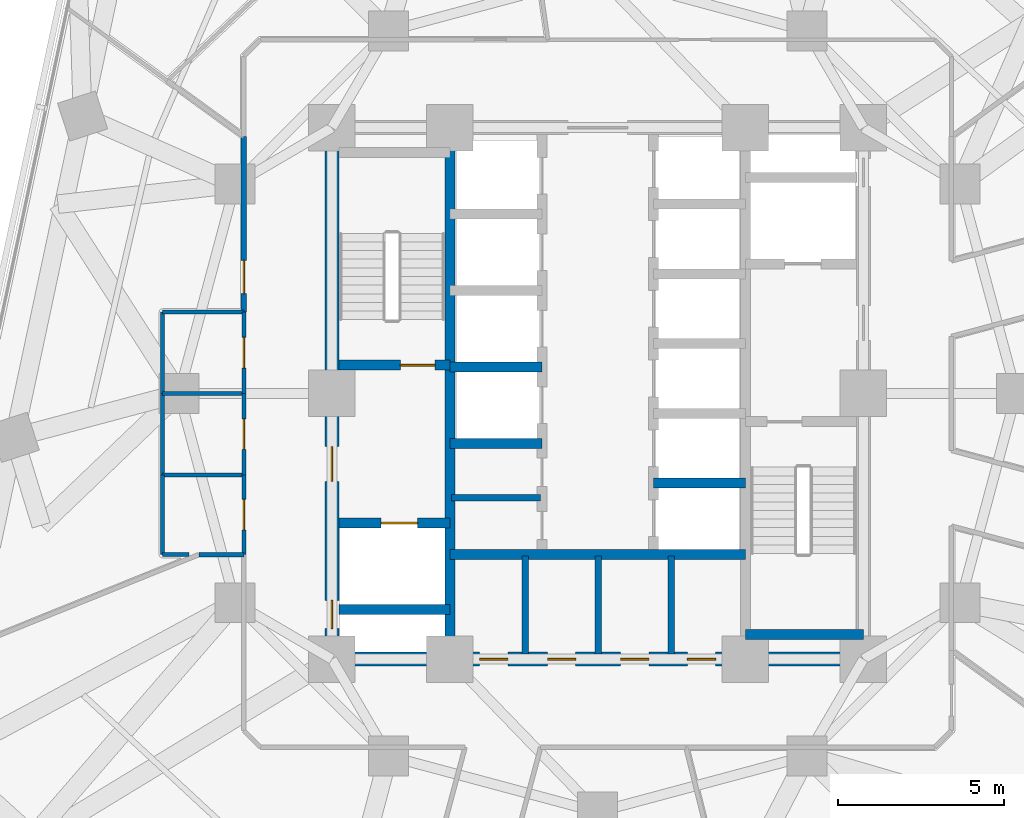
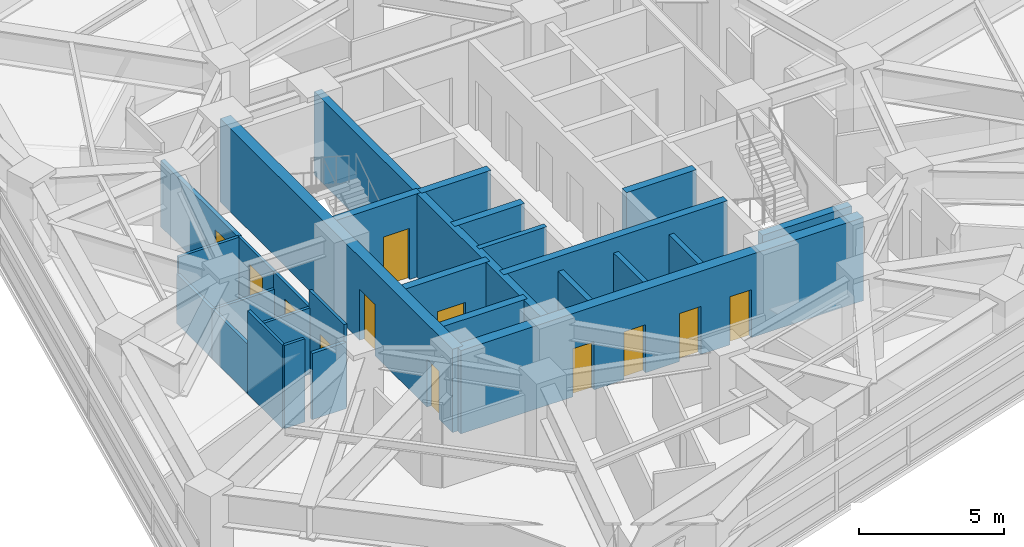
# One storey, part 8 of 14: 27 walls, 12 doors, 12 openings.
"""IFC4 building model written with IfcOpenShell, lengths in metres."""

from ifc_helpers import new_model, si_unit, direction, frame, frame_2d, origin, place, context, subcontext, project, spatial, rectangle, extrude, material, layer, layer_set, type_object, element, fill, save


model = new_model("IFC4")

# Units and contexts
model_context = context("Model", 3, precision=1e-05, world=origin(), true_north=direction((0.0, 1.0)))
body_context = subcontext(model_context, "Body", "Model", "MODEL_VIEW")
ifc_project = project(units=[si_unit("LENGTHUNIT", "METRE"), si_unit("AREAUNIT", "SQUARE_METRE"), si_unit("VOLUMEUNIT", "CUBIC_METRE"), si_unit("PLANEANGLEUNIT", "RADIAN"), si_unit("MASSUNIT", "GRAM", prefix="KILO")], contexts=[model_context])

# Site, building, storey
site_placement = place(None, origin())
site = spatial("IfcSite", under=ifc_project, at=site_placement, CompositionType="ELEMENT")
building_placement = place(site_placement, origin())
building = spatial("IfcBuilding", under=site, at=building_placement, Name="Terralouvre Media Tower", CompositionType="ELEMENT")
storey_placement = place(building_placement, frame((0.0, 0.0, 116.199951171875)))
storey = spatial("IfcBuildingStorey", under=building, at=storey_placement, Name="L29", CompositionType="ELEMENT", Elevation=116.199951171875)

# Wall
ifc_material_1 = material(Name="Concrete C50/60", Category="concrete")
ifc_layer_1 = layer(ifc_material_1, 0.300048828125, Name="Core Internal Shaft Wall CW-300")
ifc_layer_set_1 = layer_set([ifc_layer_1], Name="Concrete C50/60")
wall_type_1 = type_object("IfcWallType", Name="Core Internal Shaft Wall CW-300", PredefinedType="SHEAR", material=ifc_layer_set_1)
wall_1_placement = place(storey_placement, frame((-4.449951171875, -7.7900390625, 0.0), z_axis=(0.0, 0.0, 1.0), x_axis=(0.0, 1.0, 0.0)))
element("IfcWall", 1, at=wall_1_placement, inside=storey, type_object=wall_type_1, Name="L29 Core Shaft Wall SPW", PredefinedType="SHEAR", context=body_context, shape_type="SweptSolid", body=[
    extrude(rectangle(XDim=15.580078125, YDim=0.300048828125, at=frame_2d((7.7900390625, 0.0))), origin(), (0.0, 0.0, 1.0), 3.5),
])

# Wall, opening, door
wall_2_placement = place(storey_placement, frame((-7.7900390625, 0.85009765625, 0.0), z_axis=(0.0, 0.0, 1.0), x_axis=(1.0, 0.0, 0.0)))
wall_2 = element("IfcWall", 2, at=wall_2_placement, inside=storey, type_object=wall_type_1, Name="L29 Core Shaft Wall ST1D", PredefinedType="SHEAR", context=body_context, shape_type="SweptSolid", body=[
    extrude(rectangle(XDim=3.340087890625, YDim=0.300048828125, at=frame_2d((1.669921875, 0.0))), origin(), (0.0, 0.0, 1.0), 3.5),
])
opening_1_placement = place(wall_2_placement, frame((1.85009765625, 0.0, 0.0)))
opening_1 = element("IfcOpeningElement", 3, at=opening_1_placement, cuts=wall_2, Name="Opening FD-01-105X215", PredefinedType="OPENING", context=body_context, shape_type="SweptSolid", body=[
    extrude(rectangle(XDim=1.050048828125, YDim=2.14990234375, at=frame_2d((0.52490234375, 1.074951171875))), frame((0.0, 0.159912109375, 0.0), z_axis=(0.0, -1.0, 0.0), x_axis=(1.0, 0.0, 0.0)), (0.0, 0.0, 1.0), 0.320068359375),
])
ifc_material_2 = material(Name="Galvanised steel fire-resisting leaf", Category="steel")
door_type_1 = type_object("IfcDoorType", Name="Stair and Firefighting Lobby Fire Door FD-01 (1050x2150)", OperationType="NOTDEFINED", PredefinedType="DOOR", material=ifc_material_2)
door_1_placement = place(opening_1_placement, origin())
door_1 = element("IfcDoor", 4, at=door_1_placement, inside=storey, type_object=door_type_1, Name="L29 ST-01 Exit Stair Door", OperationType="SINGLE_SWING_LEFT", OverallHeight=2.14990234375, OverallWidth=1.050048828125, PredefinedType="DOOR", context=body_context, shape_type="SweptSolid", body=[
    extrude(rectangle(XDim=1.050048828125, YDim=2.14990234375, at=frame_2d((0.52490234375, 1.074951171875))), frame((0.0, 0.02490234375, 0.0), z_axis=(0.0, -1.0, 0.0), x_axis=(1.0, 0.0, 0.0)), (0.0, 0.0, 1.0), 0.050048828125),
])
fill(opening_1, door_1)

# Wall
wall_3_placement = place(storey_placement, frame((4.449951171875, -7.260009765625, 0.0), z_axis=(0.0, 0.0, 1.0), x_axis=(1.0, 0.0, 0.0)))
element("IfcWall", 5, at=wall_3_placement, inside=storey, type_object=wall_type_1, Name="L29 Core Shaft Wall ST2F", PredefinedType="SHEAR", context=body_context, shape_type="SweptSolid", body=[
    extrude(rectangle(XDim=3.550048828125, YDim=0.300048828125, at=frame_2d((1.77490234375, 0.0))), origin(), (0.0, 0.0, 1.0), 3.5),
])

# Wall, opening, door
wall_4_placement = place(storey_placement, frame((-7.7900390625, -3.89990234375, 0.0), z_axis=(0.0, 0.0, 1.0), x_axis=(1.0, 0.0, 0.0)))
wall_4 = element("IfcWall", 6, at=wall_4_placement, inside=storey, type_object=wall_type_1, Name="L29 Core Shaft Wall FF1N", PredefinedType="SHEAR", context=body_context, shape_type="SweptSolid", body=[
    extrude(rectangle(XDim=3.340087890625, YDim=0.300048828125, at=frame_2d((1.669921875, 0.0))), origin(), (0.0, 0.0, 1.0), 3.5),
])
opening_2_placement = place(wall_4_placement, frame((1.27001953125, 0.0, 0.0)))
opening_2 = element("IfcOpeningElement", 7, at=opening_2_placement, cuts=wall_4, Name="Opening LD-FF", PredefinedType="OPENING", context=body_context, shape_type="SweptSolid", body=[
    extrude(rectangle(XDim=1.10009765625, YDim=2.10009765625, at=frame_2d((0.550048828125, 1.050048828125))), frame((0.0, 0.159912109375, 0.0), z_axis=(0.0, -1.0, 0.0), x_axis=(1.0, 0.0, 0.0)), (0.0, 0.0, 1.0), 0.320068359375),
])
ifc_material_3 = material(Name="Stainless steel 316 handrail and balustrade", Category="steel")
door_type_2 = type_object("IfcDoorType", Name="Firefighting Lift Sliding Landing Door LD-FF", OperationType="SLIDING_TO_LEFT", PredefinedType="DOOR", material=ifc_material_3)
door_2_placement = place(opening_2_placement, origin())
door_2 = element("IfcDoor", 8, at=door_2_placement, inside=storey, type_object=door_type_2, Name="L29 Firefighting Lift FFL-01 Landing Door", OperationType="SLIDING_TO_LEFT", OverallHeight=2.10009765625, OverallWidth=1.10009765625, PredefinedType="DOOR", context=body_context, shape_type="SweptSolid", body=[
    extrude(rectangle(XDim=1.10009765625, YDim=2.10009765625, at=frame_2d((0.550048828125, 1.050048828125))), frame((0.0, 0.02490234375, 0.0), z_axis=(0.0, -1.0, 0.0), x_axis=(1.0, 0.0, 0.0)), (0.0, 0.0, 1.0), 0.050048828125),
])
fill(opening_2, door_2)

# Walls
wall_5_placement = place(storey_placement, frame((-7.7900390625, -6.5, 0.0), z_axis=(0.0, 0.0, 1.0), x_axis=(1.0, 0.0, 0.0)))
element("IfcWall", 9, at=wall_5_placement, inside=storey, type_object=wall_type_1, Name="L29 Core Shaft Wall FF1S", PredefinedType="SHEAR", context=body_context, shape_type="SweptSolid", body=[
    extrude(rectangle(XDim=3.340087890625, YDim=0.300048828125, at=frame_2d((1.669921875, 0.0))), origin(), (0.0, 0.0, 1.0), 3.5),
])
wall_6_placement = place(storey_placement, frame((-4.449951171875, -4.85009765625, 0.0), z_axis=(0.0, 0.0, 1.0), x_axis=(1.0, 0.0, 0.0)))
element("IfcWall", 10, at=wall_6_placement, inside=storey, type_object=wall_type_1, Name="L29 Core Shaft Wall CSBN", PredefinedType="SHEAR", context=body_context, shape_type="SweptSolid", body=[
    extrude(rectangle(XDim=8.89990234375, YDim=0.300048828125, at=frame_2d((4.449951171875, 0.0))), origin(), (0.0, 0.0, 1.0), 3.5),
])
for number, where, z_axis, x_axis, name in (
    (11, (-4.449951171875, -1.5, 0.0), (0.0, 0.0, 1.0), (1.0, 0.0, 0.0), "L29 Core Shaft Wall PLLD0"),
    (12, (-4.449951171875, 0.800048828125, 0.0), (0.0, 0.0, 1.0), (1.0, 0.0, 0.0), "L29 Core Shaft Wall PLLD1"),
    (13, (1.679931640625, -2.699951171875, 0.0), (0.0, 0.0, 1.0), (1.0, 0.0, 0.0), "L29 Core Shaft Wall PLHD1"),
):
    element("IfcWall", number, at=place(storey_placement, frame(where, z_axis=z_axis, x_axis=x_axis)), inside=storey, type_object=wall_type_1, Name=name, PredefinedType="SHEAR", context=body_context, shape_type="SweptSolid", body=[
        extrude(rectangle(XDim=2.77001953125, YDim=0.300048828125, at=frame_2d((1.385009765625, 0.0))), origin(), (0.0, 0.0, 1.0), 3.5),
    ])

# Wall, openings, doors
ifc_material_4 = material(Name="Concrete C60/75", Category="concrete")
ifc_layer_2 = layer(ifc_material_4, 0.419921875, Name="Core Reinforced Concrete Shear Wall CW-420")
ifc_layer_set_2 = layer_set([ifc_layer_2], Name="Concrete C60/75")
wall_type_2 = type_object("IfcWallType", Name="Core Reinforced Concrete Shear Wall CW-420", PredefinedType="SHEAR", material=ifc_layer_set_2)
wall_7_placement = place(storey_placement, frame((-8.0, -8.0, 0.0), z_axis=(0.0, 0.0, 1.0), x_axis=(0.0, 1.0, 0.0)))
wall_7 = element("IfcWall", 14, at=wall_7_placement, inside=storey, type_object=wall_type_2, Name="L29 W Core Shear Wall", PredefinedType="SHEAR", context=body_context, shape_type="SweptSolid", body=[
    extrude(rectangle(XDim=16.0, YDim=0.419921875, at=frame_2d((8.0, 0.0))), origin(), (0.0, 0.0, 1.0), 3.5),
])
opening_3_placement = place(wall_7_placement, frame((0.921630859375, 0.0, 0.0)))
opening_3 = element("IfcOpeningElement", 15, at=opening_3_placement, cuts=wall_7, Name="Opening TD-R1", PredefinedType="OPENING", context=body_context, shape_type="SweptSolid", body=[
    extrude(rectangle(XDim=0.85009765625, YDim=2.02001953125, at=frame_2d((0.425048828125, 1.010009765625))), frame((0.0, 0.219970703125, 0.0), z_axis=(0.0, -1.0, 0.0), x_axis=(1.0, 0.0, 0.0)), (0.0, 0.0, 1.0), 0.43994140625),
])
opening_4_placement = place(wall_7_placement, frame((5.35009765625, 0.0, 0.0)))
opening_4 = element("IfcOpeningElement", 16, at=opening_4_placement, cuts=wall_7, Name="Opening FD-01-105X215", PredefinedType="OPENING", context=body_context, shape_type="SweptSolid", body=[
    extrude(rectangle(XDim=1.050048828125, YDim=2.14990234375, at=frame_2d((0.52490234375, 1.074951171875))), frame((0.0, 0.219970703125, 0.0), z_axis=(0.0, -1.0, 0.0), x_axis=(1.0, 0.0, 0.0)), (0.0, 0.0, 1.0), 0.43994140625),
])
ifc_material_5 = material(Name="Galvanised steel fire-resisting leaf", Category="steel")
door_type_3 = type_object("IfcDoorType", Name="Riser Inspection Access Trapdoor TD-R1", OperationType="NOTDEFINED", PredefinedType="TRAPDOOR", material=ifc_material_5)
door_3_placement = place(opening_3_placement, origin())
door_3 = element("IfcDoor", 17, at=door_3_placement, inside=storey, type_object=door_type_3, Name="L29 Wet Riser Access Trapdoor", OperationType="SINGLE_SWING_LEFT", OverallHeight=2.02001953125, OverallWidth=0.85009765625, PredefinedType="TRAPDOOR", context=body_context, shape_type="SweptSolid", body=[
    extrude(rectangle(XDim=0.85009765625, YDim=2.02001953125, at=frame_2d((0.425048828125, 1.010009765625))), frame((0.0, 0.02490234375, 0.0), z_axis=(0.0, -1.0, 0.0), x_axis=(1.0, 0.0, 0.0)), (0.0, 0.0, 1.0), 0.050048828125),
])
fill(opening_3, door_3)
door_4_placement = place(opening_4_placement, origin())
door_4 = element("IfcDoor", 18, at=door_4_placement, inside=storey, type_object=door_type_1, Name="L29 West Firefighting Lobby Entry Door", OperationType="SINGLE_SWING_RIGHT", OverallHeight=2.14990234375, OverallWidth=1.050048828125, PredefinedType="DOOR", context=body_context, shape_type="SweptSolid", body=[
    extrude(rectangle(XDim=1.050048828125, YDim=2.14990234375, at=frame_2d((0.52490234375, 1.074951171875))), frame((0.0, 0.02490234375, 0.0), z_axis=(0.0, -1.0, 0.0), x_axis=(1.0, 0.0, 0.0)), (0.0, 0.0, 1.0), 0.050048828125),
])
fill(opening_4, door_4)

wall_8_placement = place(storey_placement, frame((-8.0, -8.0, 0.0), z_axis=(0.0, 0.0, 1.0), x_axis=(1.0, 0.0, 0.0)))
wall_8 = element("IfcWall", 19, at=wall_8_placement, inside=storey, type_object=wall_type_2, Name="L29 S Core Shear Wall", PredefinedType="SHEAR", context=body_context, shape_type="SweptSolid", body=[
    extrude(rectangle(XDim=16.0, YDim=0.419921875, at=frame_2d((8.0, 0.0))), origin(), (0.0, 0.0, 1.0), 3.5),
])
opening_5_placement = place(wall_8_placement, frame((4.44873046875, 0.0, 0.0)))
opening_5 = element("IfcOpeningElement", 20, at=opening_5_placement, cuts=wall_8, Name="Opening TD-R1", PredefinedType="OPENING", context=body_context, shape_type="SweptSolid", body=[
    extrude(rectangle(XDim=0.85009765625, YDim=2.02001953125, at=frame_2d((0.425048828125, 1.010009765625))), frame((0.0, 0.219970703125, 0.0), z_axis=(0.0, -1.0, 0.0), x_axis=(1.0, 0.0, 0.0)), (0.0, 0.0, 1.0), 0.43994140625),
])
opening_6_placement = place(wall_8_placement, frame((6.489990234375, 0.0, 0.0)))
opening_6 = element("IfcOpeningElement", 21, at=opening_6_placement, cuts=wall_8, Name="Opening TD-R1", PredefinedType="OPENING", context=body_context, shape_type="SweptSolid", body=[
    extrude(rectangle(XDim=0.85009765625, YDim=2.02001953125, at=frame_2d((0.425048828125, 1.010009765625))), frame((0.0, 0.219970703125, 0.0), z_axis=(0.0, -1.0, 0.0), x_axis=(1.0, 0.0, 0.0)), (0.0, 0.0, 1.0), 0.43994140625),
])
opening_7_placement = place(wall_8_placement, frame((8.68994140625, 0.0, 0.0)))
opening_7 = element("IfcOpeningElement", 22, at=opening_7_placement, cuts=wall_8, Name="Opening TD-R1", PredefinedType="OPENING", context=body_context, shape_type="SweptSolid", body=[
    extrude(rectangle(XDim=0.85009765625, YDim=2.02001953125, at=frame_2d((0.425048828125, 1.010009765625))), frame((0.0, 0.219970703125, 0.0), z_axis=(0.0, -1.0, 0.0), x_axis=(1.0, 0.0, 0.0)), (0.0, 0.0, 1.0), 0.43994140625),
])
opening_8_placement = place(wall_8_placement, frame((10.701416015625, 0.0, 0.0)))
opening_8 = element("IfcOpeningElement", 23, at=opening_8_placement, cuts=wall_8, Name="Opening TD-R1", PredefinedType="OPENING", context=body_context, shape_type="SweptSolid", body=[
    extrude(rectangle(XDim=0.85009765625, YDim=2.02001953125, at=frame_2d((0.425048828125, 1.010009765625))), frame((0.0, 0.219970703125, 0.0), z_axis=(0.0, -1.0, 0.0), x_axis=(1.0, 0.0, 0.0)), (0.0, 0.0, 1.0), 0.43994140625),
])
door_5_placement = place(opening_5_placement, origin())
door_5 = element("IfcDoor", 24, at=door_5_placement, inside=storey, type_object=door_type_3, Name="L29 Core Battery Plant Door", OperationType="SINGLE_SWING_LEFT", OverallHeight=2.02001953125, OverallWidth=0.85009765625, PredefinedType="TRAPDOOR", context=body_context, shape_type="SweptSolid", body=[
    extrude(rectangle(XDim=0.85009765625, YDim=2.02001953125, at=frame_2d((0.425048828125, 1.010009765625))), frame((0.0, 0.02490234375, 0.0), z_axis=(0.0, -1.0, 0.0), x_axis=(1.0, 0.0, 0.0)), (0.0, 0.0, 1.0), 0.050048828125),
])
fill(opening_5, door_5)
door_6_placement = place(opening_6_placement, origin())
door_6 = element("IfcDoor", 25, at=door_6_placement, inside=storey, type_object=door_type_3, Name="L29 Core IT Patch Plant Door", OperationType="SINGLE_SWING_RIGHT", OverallHeight=2.02001953125, OverallWidth=0.85009765625, PredefinedType="TRAPDOOR", context=body_context, shape_type="SweptSolid", body=[
    extrude(rectangle(XDim=0.85009765625, YDim=2.02001953125, at=frame_2d((0.425048828125, 1.010009765625))), frame((0.0, 0.02490234375, 0.0), z_axis=(0.0, -1.0, 0.0), x_axis=(1.0, 0.0, 0.0)), (0.0, 0.0, 1.0), 0.050048828125),
])
fill(opening_6, door_6)
door_7_placement = place(opening_7_placement, origin())
door_7 = element("IfcDoor", 26, at=door_7_placement, inside=storey, type_object=door_type_3, Name="L29 Core Housekeeping Store Door", OperationType="SINGLE_SWING_LEFT", OverallHeight=2.02001953125, OverallWidth=0.85009765625, PredefinedType="TRAPDOOR", context=body_context, shape_type="SweptSolid", body=[
    extrude(rectangle(XDim=0.85009765625, YDim=2.02001953125, at=frame_2d((0.425048828125, 1.010009765625))), frame((0.0, 0.02490234375, 0.0), z_axis=(0.0, -1.0, 0.0), x_axis=(1.0, 0.0, 0.0)), (0.0, 0.0, 1.0), 0.050048828125),
])
fill(opening_7, door_7)
door_8_placement = place(opening_8_placement, origin())
door_8 = element("IfcDoor", 27, at=door_8_placement, inside=storey, type_object=door_type_3, Name="L29 Core Smoke Damper Plant Door", OperationType="SINGLE_SWING_RIGHT", OverallHeight=2.02001953125, OverallWidth=0.85009765625, PredefinedType="TRAPDOOR", context=body_context, shape_type="SweptSolid", body=[
    extrude(rectangle(XDim=0.85009765625, YDim=2.02001953125, at=frame_2d((0.425048828125, 1.010009765625))), frame((0.0, 0.02490234375, 0.0), z_axis=(0.0, -1.0, 0.0), x_axis=(1.0, 0.0, 0.0)), (0.0, 0.0, 1.0), 0.050048828125),
])
fill(opening_8, door_8)

# Walls
ifc_material_6 = material(Name="Fire-rated gypsum board drywall partition")
ifc_layer_3 = layer(ifc_material_6, 0.199951171875, Name="Fire-Rated Shaft and Lobby Partition FW-200")
ifc_layer_set_3 = layer_set([ifc_layer_3], Name="Fire-rated gypsum board drywall partition")
wall_type_3 = type_object("IfcWallType", Name="Fire-Rated Shaft and Lobby Partition FW-200", PredefinedType="SOLIDWALL", material=ifc_layer_set_3)
for number, where, z_axis, x_axis, name in (
    (28, (-2.179931640625, -7.85009765625, 0.0), (0.0, 0.0, 1.0), (0.0, 1.0, 0.0), "L29 Core Service Bay Partition 1"),
    (29, (0.02001953125, -7.85009765625, 0.0), (0.0, 0.0, 1.0), (0.0, 1.0, 0.0), "L29 Core Service Bay Partition 2"),
    (30, (2.219970703125, -7.85009765625, 0.0), (0.0, 0.0, 1.0), (0.0, 1.0, 0.0), "L29 Core Service Bay Partition 3"),
):
    element("IfcWall", number, at=place(storey_placement, frame(where, z_axis=z_axis, x_axis=x_axis)), inside=storey, type_object=wall_type_3, Name=name, PredefinedType="SOLIDWALL", context=body_context, shape_type="SweptSolid", body=[
        extrude(rectangle(XDim=2.9501953125, YDim=0.199951171875, at=frame_2d((1.47509765625, 0.0))), origin(), (0.0, 0.0, 1.0), 2.885009765625),
    ])
wall_9_placement = place(storey_placement, frame((-4.39990234375, -3.139892578125, 0.0), z_axis=(0.0, 0.0, 1.0), x_axis=(1.0, 0.0, 0.0)))
element("IfcWall", 31, at=wall_9_placement, inside=storey, type_object=wall_type_3, Name="L29 Core West Sub-Partition 1", PredefinedType="SOLIDWALL", context=body_context, shape_type="SweptSolid", body=[
    extrude(rectangle(XDim=2.679931640625, YDim=0.199951171875, at=frame_2d((1.33984375, 0.0))), origin(), (0.0, 0.0, 1.0), 3.5),
])
ifc_material_7 = material(Name="Fire-rated gypsum board drywall partition")
ifc_layer_4 = layer(ifc_material_7, 0.135009765625, Name="Newsroom Acoustic Partition PT-135")
ifc_layer_set_4 = layer_set([ifc_layer_4], Name="Fire-rated gypsum board drywall partition")
wall_type_4 = type_object("IfcWallType", Name="Newsroom Acoustic Partition PT-135", PredefinedType="PARTITIONING", material=ifc_layer_set_4)
wall_10_placement = place(storey_placement, frame((-10.64990234375, -4.85009765625, 0.0), z_axis=(0.0, 0.0, 1.0), x_axis=(-1.0, 0.0, 0.0)))
element("IfcWall", 32, at=wall_10_placement, inside=storey, type_object=wall_type_4, Name="L29 Interior Partition 032", PredefinedType="PARTITIONING", context=body_context, shape_type="SweptSolid", body=[
    extrude(rectangle(XDim=1.35400390625, YDim=0.135009765625, at=frame_2d((0.677001953125, 0.0))), origin(), (0.0, 0.0, 1.0), 2.78515625),
])

# Wall, opening, door
ifc_material_8 = material(Name="Fire-rated gypsum board drywall partition")
ifc_layer_5 = layer(ifc_material_8, 0.114990234375, Name="Restroom and Pantry Partition PT-115")
ifc_layer_set_5 = layer_set([ifc_layer_5], Name="Fire-rated gypsum board drywall partition")
wall_type_5 = type_object("IfcWallType", Name="Restroom and Pantry Partition PT-115", PredefinedType="PARTITIONING", material=ifc_layer_set_5)
wall_11_placement = place(storey_placement, frame((-10.64990234375, 0.0, 0.0), z_axis=(0.0, 0.0, 1.0), x_axis=(0.0, -1.0, 0.0)))
wall_11 = element("IfcWall", 33, at=wall_11_placement, inside=storey, type_object=wall_type_5, Name="L29 Interior Partition 017", PredefinedType="PARTITIONING", context=body_context, shape_type="SweptSolid", body=[
    extrude(rectangle(XDim=2.449951171875, YDim=0.114990234375, at=frame_2d((1.22509765625, 0.0))), origin(), (0.0, 0.0, 1.0), 2.78515625),
])
opening_9_placement = place(wall_11_placement, frame((0.764892578125, 0.0, 0.0)))
opening_9 = element("IfcOpeningElement", 34, at=opening_9_placement, cuts=wall_11, Name="Opening ID-03-92X210", PredefinedType="OPENING", context=body_context, shape_type="SweptSolid", body=[
    extrude(rectangle(XDim=0.919921875, YDim=2.10009765625, at=frame_2d((0.4599609375, 1.050048828125))), frame((0.0, 0.0673828125, 0.0), z_axis=(0.0, -1.0, 0.0), x_axis=(1.0, 0.0, 0.0)), (0.0, 0.0, 1.0), 0.135009765625),
])
ifc_material_9 = material(Name="Engineered hardwood acoustic timber leaf", Category="wood")
door_type_4 = type_object("IfcDoorType", Name="Accessible Restroom and Suite Door ID-03 (920x2100)", OperationType="NOTDEFINED", PredefinedType="DOOR", material=ifc_material_9)
door_9_placement = place(opening_9_placement, origin())
door_9 = element("IfcDoor", 35, at=door_9_placement, inside=storey, type_object=door_type_4, Name="L29 Female Restroom WC Door", OperationType="SINGLE_SWING_RIGHT", OverallHeight=2.10009765625, OverallWidth=0.919921875, PredefinedType="DOOR", context=body_context, shape_type="SweptSolid", body=[
    extrude(rectangle(XDim=0.919921875, YDim=2.10009765625, at=frame_2d((0.4599609375, 1.050048828125))), frame((0.0, 0.02490234375, 0.0), z_axis=(0.0, -1.0, 0.0), x_axis=(1.0, 0.0, 0.0)), (0.0, 0.0, 1.0), 0.050048828125),
])
fill(opening_9, door_9)

wall_12_placement = place(storey_placement, frame((-10.64990234375, -2.449951171875, 0.0), z_axis=(0.0, 0.0, 1.0), x_axis=(0.0, -1.0, 0.0)))
wall_12 = element("IfcWall", 36, at=wall_12_placement, inside=storey, type_object=wall_type_5, Name="L29 Interior Partition 018", PredefinedType="PARTITIONING", context=body_context, shape_type="SweptSolid", body=[
    extrude(rectangle(XDim=2.400146484375, YDim=0.114990234375, at=frame_2d((1.2001953125, 0.0))), origin(), (0.0, 0.0, 1.0), 3.5),
])
opening_10_placement = place(wall_12_placement, frame((0.739990234375, 0.0, 0.0)))
opening_10 = element("IfcOpeningElement", 37, at=opening_10_placement, cuts=wall_12, Name="Opening ID-03-92X210", PredefinedType="OPENING", context=body_context, shape_type="SweptSolid", body=[
    extrude(rectangle(XDim=0.919921875, YDim=2.10009765625, at=frame_2d((0.4599609375, 1.050048828125))), frame((0.0, 0.0673828125, 0.0), z_axis=(0.0, -1.0, 0.0), x_axis=(1.0, 0.0, 0.0)), (0.0, 0.0, 1.0), 0.135009765625),
])
door_10_placement = place(opening_10_placement, origin())
door_10 = element("IfcDoor", 38, at=door_10_placement, inside=storey, type_object=door_type_4, Name="L29 Male Restroom WC Door", OperationType="SINGLE_SWING_LEFT", OverallHeight=2.10009765625, OverallWidth=0.919921875, PredefinedType="DOOR", context=body_context, shape_type="SweptSolid", body=[
    extrude(rectangle(XDim=0.919921875, YDim=2.10009765625, at=frame_2d((0.4599609375, 1.050048828125))), frame((0.0, 0.02490234375, 0.0), z_axis=(0.0, -1.0, 0.0), x_axis=(1.0, 0.0, 0.0)), (0.0, 0.0, 1.0), 0.050048828125),
])
fill(opening_10, door_10)

wall_13_placement = place(storey_placement, frame((-10.64990234375, 2.449951171875, 0.0), z_axis=(0.0, 0.0, 1.0), x_axis=(0.0, -1.0, 0.0)))
wall_13 = element("IfcWall", 39, at=wall_13_placement, inside=storey, type_object=wall_type_5, Name="L29 Interior Partition 028", PredefinedType="PARTITIONING", context=body_context, shape_type="SweptSolid", body=[
    extrude(rectangle(XDim=2.449951171875, YDim=0.114990234375, at=frame_2d((1.22509765625, 0.0))), origin(), (0.0, 0.0, 1.0), 2.78515625),
])
opening_11_placement = place(wall_13_placement, frame((0.764892578125, 0.0, 0.0)))
opening_11 = element("IfcOpeningElement", 40, at=opening_11_placement, cuts=wall_13, Name="Opening ID-03-92X210", PredefinedType="OPENING", context=body_context, shape_type="SweptSolid", body=[
    extrude(rectangle(XDim=0.919921875, YDim=2.10009765625, at=frame_2d((0.4599609375, 1.050048828125))), frame((0.0, 0.0673828125, 0.0), z_axis=(0.0, -1.0, 0.0), x_axis=(1.0, 0.0, 0.0)), (0.0, 0.0, 1.0), 0.135009765625),
])
door_11_placement = place(opening_11_placement, origin())
door_11 = element("IfcDoor", 41, at=door_11_placement, inside=storey, type_object=door_type_4, Name="L29 Accessible Unisex WC Door", OperationType="SINGLE_SWING_LEFT", OverallHeight=2.10009765625, OverallWidth=0.919921875, PredefinedType="DOOR", context=body_context, shape_type="SweptSolid", body=[
    extrude(rectangle(XDim=0.919921875, YDim=2.10009765625, at=frame_2d((0.4599609375, 1.050048828125))), frame((0.0, 0.02490234375, 0.0), z_axis=(0.0, -1.0, 0.0), x_axis=(1.0, 0.0, 0.0)), (0.0, 0.0, 1.0), 0.050048828125),
])
fill(opening_11, door_11)

# Walls
wall_14_placement = place(storey_placement, frame((-13.10009765625, -2.449951171875, 0.0), z_axis=(0.0, 0.0, 1.0), x_axis=(1.0, 0.0, 0.0)))
element("IfcWall", 42, at=wall_14_placement, inside=storey, type_object=wall_type_5, Name="L29 Interior Partition 035", PredefinedType="PARTITIONING", context=body_context, shape_type="SweptSolid", body=[
    extrude(rectangle(XDim=2.4501953125, YDim=0.114990234375, at=frame_2d((1.22509765625, 0.0))), origin(), (0.0, 0.0, 1.0), 2.78515625),
])
wall_15_placement = place(storey_placement, frame((-10.64990234375, 0.0, 0.0), z_axis=(0.0, 0.0, 1.0), x_axis=(-1.0, 0.0, 0.0)))
element("IfcWall", 43, at=wall_15_placement, inside=storey, type_object=wall_type_5, Name="L29 Interior Partition 036", PredefinedType="PARTITIONING", context=body_context, shape_type="SweptSolid", body=[
    extrude(rectangle(XDim=2.4501953125, YDim=0.114990234375, at=frame_2d((1.22509765625, 0.0))), origin(), (0.0, 0.0, 1.0), 2.0849609375),
])
wall_16_placement = place(storey_placement, frame((-13.10009765625, 0.0, 0.0), z_axis=(0.0, 0.0, 1.0), x_axis=(0.0, -1.0, 0.0)))
element("IfcWall", 44, at=wall_16_placement, inside=storey, type_object=wall_type_5, Name="L29 Interior Partition 037", PredefinedType="PARTITIONING", context=body_context, shape_type="SweptSolid", body=[
    extrude(rectangle(XDim=2.449951171875, YDim=0.114990234375, at=frame_2d((1.22509765625, 0.0))), origin(), (0.0, 0.0, 1.0), 2.0849609375),
])
wall_17_placement = place(storey_placement, frame((-13.10009765625, -2.449951171875, 0.0), z_axis=(0.0, 0.0, 1.0), x_axis=(0.0, -1.0, 0.0)))
element("IfcWall", 45, at=wall_17_placement, inside=storey, type_object=wall_type_5, Name="L29 Interior Partition 038", PredefinedType="PARTITIONING", context=body_context, shape_type="SweptSolid", body=[
    extrude(rectangle(XDim=2.400146484375, YDim=0.114990234375, at=frame_2d((1.2001953125, 0.0))), origin(), (0.0, 0.0, 1.0), 3.5),
])
wall_18_placement = place(storey_placement, frame((-13.10009765625, -4.85009765625, 0.0), z_axis=(0.0, 0.0, 1.0), x_axis=(1.0, 0.0, 0.0)))
element("IfcWall", 46, at=wall_18_placement, inside=storey, type_object=wall_type_5, Name="L29 Interior Partition 039", PredefinedType="PARTITIONING", context=body_context, shape_type="SweptSolid", body=[
    extrude(rectangle(XDim=0.802490234375, YDim=0.114990234375, at=frame_2d((0.4013671875, 0.0))), origin(), (0.0, 0.0, 1.0), 3.5),
])
wall_19_placement = place(storey_placement, frame((-10.64990234375, 2.449951171875, 0.0), z_axis=(0.0, 0.0, 1.0), x_axis=(-1.0, 0.0, 0.0)))
element("IfcWall", 47, at=wall_19_placement, inside=storey, type_object=wall_type_5, Name="L29 Interior Partition 046", PredefinedType="PARTITIONING", context=body_context, shape_type="SweptSolid", body=[
    extrude(rectangle(XDim=2.4501953125, YDim=0.114990234375, at=frame_2d((1.22509765625, 0.0))), origin(), (0.0, 0.0, 1.0), 2.78515625),
])
wall_20_placement = place(storey_placement, frame((-13.10009765625, 2.449951171875, 0.0), z_axis=(0.0, 0.0, 1.0), x_axis=(0.0, -1.0, 0.0)))
element("IfcWall", 48, at=wall_20_placement, inside=storey, type_object=wall_type_5, Name="L29 Interior Partition 047", PredefinedType="PARTITIONING", context=body_context, shape_type="SweptSolid", body=[
    extrude(rectangle(XDim=2.449951171875, YDim=0.114990234375, at=frame_2d((1.22509765625, 0.0))), origin(), (0.0, 0.0, 1.0), 2.0849609375),
])

# Wall, opening, door
ifc_material_10 = material(Name="Fire-rated gypsum board drywall partition")
ifc_layer_6 = layer(ifc_material_10, 0.159912109375, Name="Studio Acoustic Rated Partition PT-160")
ifc_layer_set_6 = layer_set([ifc_layer_6], Name="Fire-rated gypsum board drywall partition")
wall_type_6 = type_object("IfcWallType", Name="Studio Acoustic Rated Partition PT-160", PredefinedType="PARTITIONING", material=ifc_layer_set_6)
wall_21_placement = place(storey_placement, frame((-10.64990234375, 7.738037109375, 0.0), z_axis=(0.0, 0.0, 1.0), x_axis=(0.0, -1.0, 0.0)))
wall_21 = element("IfcWall", 49, at=wall_21_placement, inside=storey, type_object=wall_type_6, Name="L29 Interior Partition 029", PredefinedType="PARTITIONING", context=body_context, shape_type="SweptSolid", body=[
    extrude(rectangle(XDim=5.2880859375, YDim=0.159912109375, at=frame_2d((2.64404296875, 0.0))), origin(), (0.0, 0.0, 1.0), 2.78515625),
])
opening_12_placement = place(wall_21_placement, frame((3.73046875, 0.0, 0.0)))
opening_12 = element("IfcOpeningElement", 50, at=opening_12_placement, cuts=wall_21, Name="Opening ID-01-100X215", PredefinedType="OPENING", context=body_context, shape_type="SweptSolid", body=[
    extrude(rectangle(XDim=1.0, YDim=2.14990234375, at=frame_2d((0.5, 1.074951171875))), frame((0.0, 0.08984375, 0.0), z_axis=(0.0, -1.0, 0.0), x_axis=(1.0, 0.0, 0.0)), (0.0, 0.0, 1.0), 0.179931640625),
])
ifc_material_11 = material(Name="Engineered hardwood acoustic timber leaf", Category="wood")
door_type_5 = type_object("IfcDoorType", Name="Broadcast Studio Acoustic Single Door ID-01 (1000x2150)", OperationType="NOTDEFINED", PredefinedType="DOOR", material=ifc_material_11)
door_12_placement = place(opening_12_placement, origin())
door_12 = element("IfcDoor", 51, at=door_12_placement, inside=storey, type_object=door_type_5, Name="L29 Concierge Security Control Room 7 Door", OperationType="SINGLE_SWING_RIGHT", OverallHeight=2.14990234375, OverallWidth=1.0, PredefinedType="DOOR", context=body_context, shape_type="SweptSolid", body=[
    extrude(rectangle(XDim=1.0, YDim=2.14990234375, at=frame_2d((0.5, 1.074951171875))), frame((0.0, 0.02490234375, 0.0), z_axis=(0.0, -1.0, 0.0), x_axis=(1.0, 0.0, 0.0)), (0.0, 0.0, 1.0), 0.050048828125),
])
fill(opening_12, door_12)

save(model, "model.ifc")
